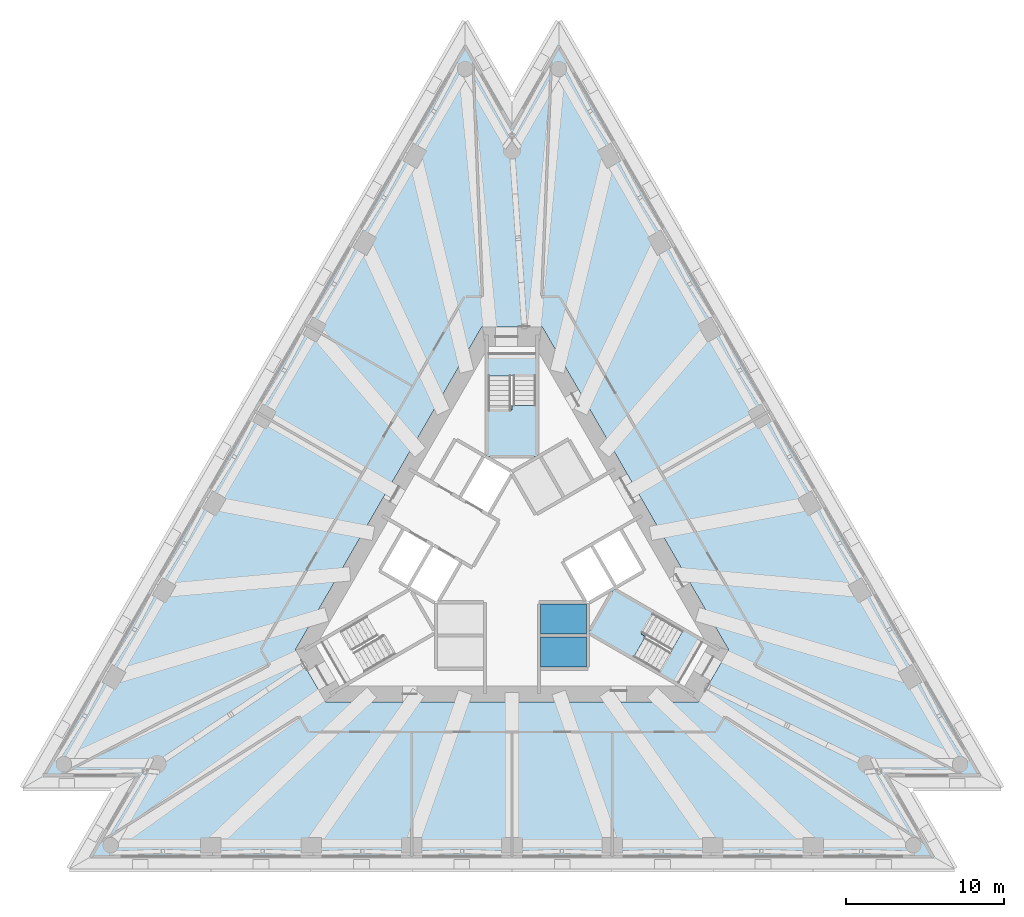
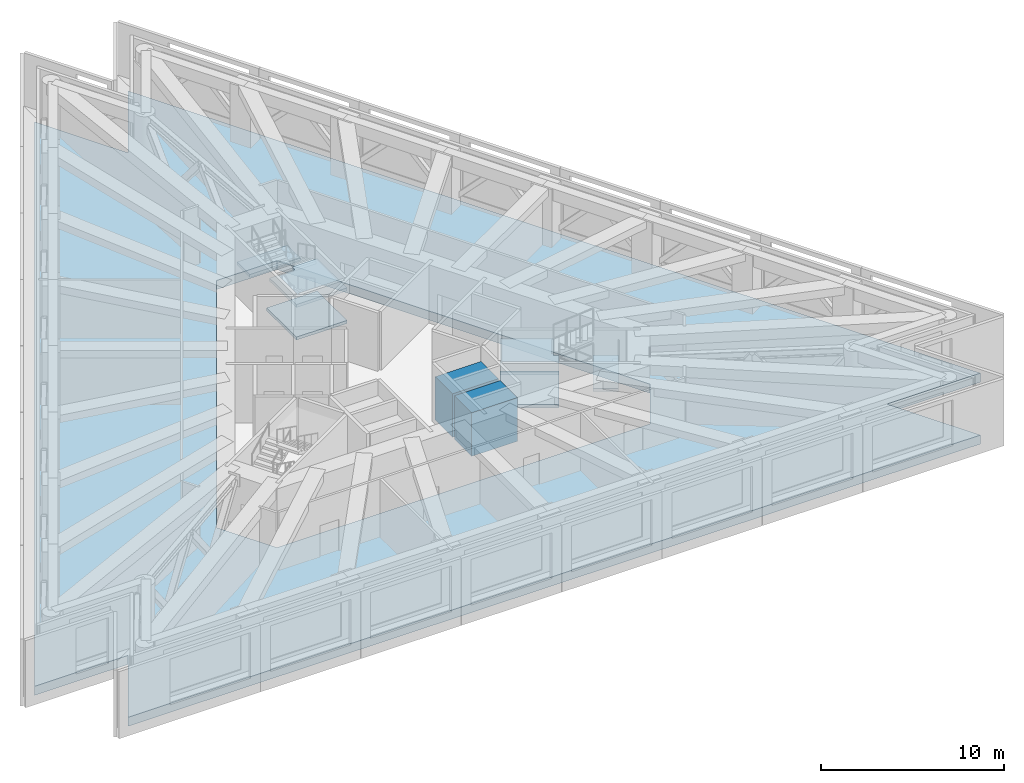
# One storey, part 4 of 12: 9 slabs, 2 elements without a shape of their own.
"""IFC4 building model written with IfcOpenShell, lengths in metres."""

from ifc_helpers import new_model, si_unit, direction, frame, origin, place, context, subcontext, project, spatial, polyline, outline, extrude, material, layer, layer_set, type_object, element, aggregate, save


model = new_model("IFC4")

# Units and contexts
model_context = context("Model", 3, precision=1e-05, world=origin(), true_north=direction((0.0, 1.0)))
body_context = subcontext(model_context, "Body", "Model", "MODEL_VIEW")
ifc_project = project(units=[si_unit("LENGTHUNIT", "METRE"), si_unit("AREAUNIT", "SQUARE_METRE"), si_unit("VOLUMEUNIT", "CUBIC_METRE"), si_unit("PLANEANGLEUNIT", "RADIAN"), si_unit("MASSUNIT", "GRAM", prefix="KILO")], contexts=[model_context])

# Site, building, storey
site_placement = place(None, origin())
site = spatial("IfcSite", under=ifc_project, at=site_placement, CompositionType="ELEMENT")
building_placement = place(site_placement, origin())
building = spatial("IfcBuilding", under=site, at=building_placement, Name="Triada Interchange Tower", CompositionType="ELEMENT")
storey_placement = place(building_placement, frame((0.0, 0.0, 180.800048828125)))
storey = spatial("IfcBuildingStorey", under=building, at=storey_placement, Name="L42", CompositionType="ELEMENT", Elevation=180.800048828125)

# Slabs
ifc_material_1 = material(Name="Concrete C30/37", Category="concrete")
ifc_layer_1 = layer(ifc_material_1, 0.300048828125)
ifc_layer_set_1 = layer_set([ifc_layer_1], Name="LIFT PIT SLAB 300")
slab_type_1 = type_object("IfcSlabType", Name="LIFT PIT SLAB 300", PredefinedType="BASESLAB", material=ifc_layer_set_1)
slab_1_placement = place(storey_placement, origin())
element("IfcSlab", 1, at=slab_1_placement, inside=storey, type_object=slab_type_1, Name="Lift pit slab HR1", PredefinedType="BASESLAB", context=body_context, shape_type="SweptSolid", body=[
    extrude(outline(polyline([(4.699951171875, -4.699951171875), (1.800048828125, -4.699951171875), (1.800048828125, -2.800048828125), (4.699951171875, -2.800048828125), (4.699951171875, -4.699951171875)])), origin(), (0.0, 0.0, 1.0), 2.89990234375),
])
slab_2_placement = place(storey_placement, origin())
element("IfcSlab", 2, at=slab_2_placement, inside=storey, type_object=slab_type_1, Name="Lift pit slab HR2", PredefinedType="BASESLAB", context=body_context, shape_type="SweptSolid", body=[
    extrude(outline(polyline([(4.699951171875, -6.800048828125), (1.800048828125, -6.800048828125), (1.800048828125, -5.4150390625), (1.800048828125, -4.89990234375), (4.699951171875, -4.89990234375), (4.699951171875, -6.800048828125)])), origin(), (0.0, 0.0, 1.0), 2.89990234375),
])

# Stair, slabs
ifc_material_2 = material(Name="Concrete C35/45", Category="concrete")
stair_type = type_object("IfcStairType", Name="HALF TURN STAIR 1400", PredefinedType="HALF_TURN_STAIR", material=ifc_material_2)
stair_1_placement = place(storey_placement, origin())
stair_1 = element("IfcStair", 3, at=stair_1_placement, inside=storey, type_object=stair_type, Name="Exit stair S42-1", PredefinedType="HALF_TURN_STAIR")
ifc_layer_2 = layer(ifc_material_2, 0.199951171875)
ifc_layer_set_2 = layer_set([ifc_layer_2], Name="STAIR LANDING 200")
slab_type_2 = type_object("IfcSlabType", Name="STAIR LANDING 200", PredefinedType="LANDING", material=ifc_layer_set_2)
slab_3_placement = place(storey_placement, frame((0.0, 0.0, 0.88623046875)))
slab_3 = element("IfcSlab", 4, at=slab_3_placement, type_object=slab_type_2, Name="S42-1 landing 1", PredefinedType="LANDING", context=body_context, shape_type="SweptSolid", body=[
    extrude(outline(polyline([(1.60009765625, 6.5), (1.60009765625, 9.739990234375), (-1.60009765625, 9.739990234375), (-1.60009765625, 6.5), (1.60009765625, 6.5)])), origin(), (0.0, 0.0, 1.0), 0.199951171875),
])
slab_4_placement = place(storey_placement, frame((0.0, 0.0, 3.05859375)))
slab_4 = element("IfcSlab", 5, at=slab_4_placement, type_object=slab_type_2, Name="S42-1 landing 2", PredefinedType="LANDING", context=body_context, shape_type="SweptSolid", body=[
    extrude(outline(polyline([(1.60009765625, 6.5), (1.60009765625, 9.739990234375), (0.0, 9.739990234375), (0.0, 9.429931640625), (-1.60009765625, 9.429931640625), (-1.60009765625, 6.5), (1.60009765625, 6.5)])), origin(), (0.0, 0.0, 1.0), 0.199951171875),
])
slab_5_placement = place(storey_placement, frame((0.0, 0.0, 1.972412109375)))
slab_5 = element("IfcSlab", 6, at=slab_5_placement, type_object=slab_type_2, Name="S42-1 landing 3", PredefinedType="LANDING", context=body_context, shape_type="SweptSolid", body=[
    extrude(outline(polyline([(1.60009765625, 11.60009765625), (1.60009765625, 13.0), (-1.60009765625, 13.0), (-1.60009765625, 11.60009765625), (1.60009765625, 11.60009765625)])), origin(), (0.0, 0.0, 1.0), 0.199951171875),
])
aggregate(stair_1, [slab_3, slab_4, slab_5])

stair_2_placement = place(storey_placement, origin())
stair_2 = element("IfcStair", 7, at=stair_2_placement, inside=storey, type_object=stair_type, Name="Exit stair S42-3", PredefinedType="HALF_TURN_STAIR")
slab_6_placement = place(storey_placement, frame((0.0, 0.0, 0.88623046875)))
slab_6 = element("IfcSlab", 8, at=slab_6_placement, type_object=slab_type_2, Name="S42-3 landing 1", PredefinedType="LANDING", context=body_context, shape_type="SweptSolid", body=[
    extrude(outline(polyline([(4.8291015625, -4.635986328125), (7.635009765625, -6.256103515625), (9.235107421875, -3.48388671875), (6.428955078125, -1.864013671875), (4.8291015625, -4.635986328125)])), origin(), (0.0, 0.0, 1.0), 0.199951171875),
])
slab_7_placement = place(storey_placement, frame((0.0, 0.0, 3.05859375)))
slab_7 = element("IfcSlab", 9, at=slab_7_placement, type_object=slab_type_2, Name="S42-3 landing 2", PredefinedType="LANDING", context=body_context, shape_type="SweptSolid", body=[
    extrude(outline(polyline([(4.8291015625, -4.635986328125), (7.635009765625, -6.256103515625), (8.43505859375, -4.8701171875), (8.1669921875, -4.715087890625), (8.967041015625, -3.3291015625), (6.428955078125, -1.864013671875), (4.8291015625, -4.635986328125)])), origin(), (0.0, 0.0, 1.0), 0.199951171875),
])
slab_8_placement = place(storey_placement, frame((0.0, 0.0, 1.972412109375)))
slab_8 = element("IfcSlab", 10, at=slab_8_placement, type_object=slab_type_2, Name="S42-3 landing 3", PredefinedType="LANDING", context=body_context, shape_type="SweptSolid", body=[
    extrude(outline(polyline([(9.24609375, -7.18603515625), (10.4580078125, -7.885986328125), (12.05810546875, -5.114013671875), (10.845947265625, -4.4140625), (9.24609375, -7.18603515625)])), origin(), (0.0, 0.0, 1.0), 0.199951171875),
])
aggregate(stair_2, [slab_6, slab_7, slab_8])

# Slab
ifc_material_3 = material(Name="Concrete C50/60", Category="concrete")
ifc_layer_3 = layer(ifc_material_3, 0.60009765625)
ifc_layer_set_3 = layer_set([ifc_layer_3], Name="Transfer slab 600")
slab_type_3 = type_object("IfcSlabType", Name="Transfer slab 600", PredefinedType="FLOOR", material=ifc_layer_set_3)
slab_9_placement = place(storey_placement, frame((0.0, 0.0, -0.60009765625)))
element("IfcSlab", 11, at=slab_9_placement, inside=storey, type_object=slab_type_3, Name="Floor slab L42", PredefinedType="FLOOR", context=body_context, shape_type="SweptSolid", body=[
    extrude(outline(polyline([(-2.9541015625, 32.784912109375), (-29.8701171875, -13.833984375), (-23.9619140625, -13.833984375), (-26.916015625, -18.950927734375), (26.916015625, -18.950927734375), (23.9619140625, -13.833984375), (29.8701171875, -13.833984375), (2.9541015625, 32.784912109375), (0.0, 27.66796875), (-2.9541015625, 32.784912109375)]), holes=[polyline([(1.905029296875, 14.699951171875), (-1.905029296875, 14.699951171875), (-13.68310546875, -5.699951171875), (-11.778076171875, -9.0), (11.778076171875, -9.0), (13.68310546875, -5.699951171875), (1.905029296875, 14.699951171875)])]), origin(), (0.0, 0.0, 1.0), 0.60009765625),
])

save(model, "model.ifc")
